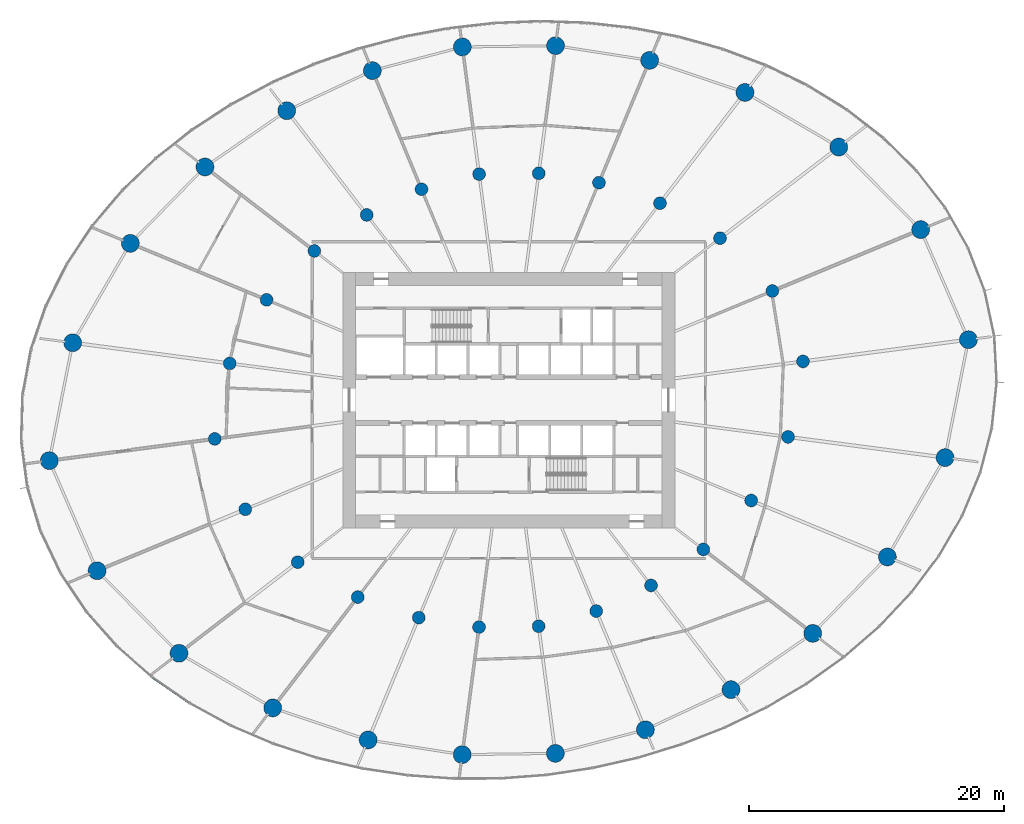
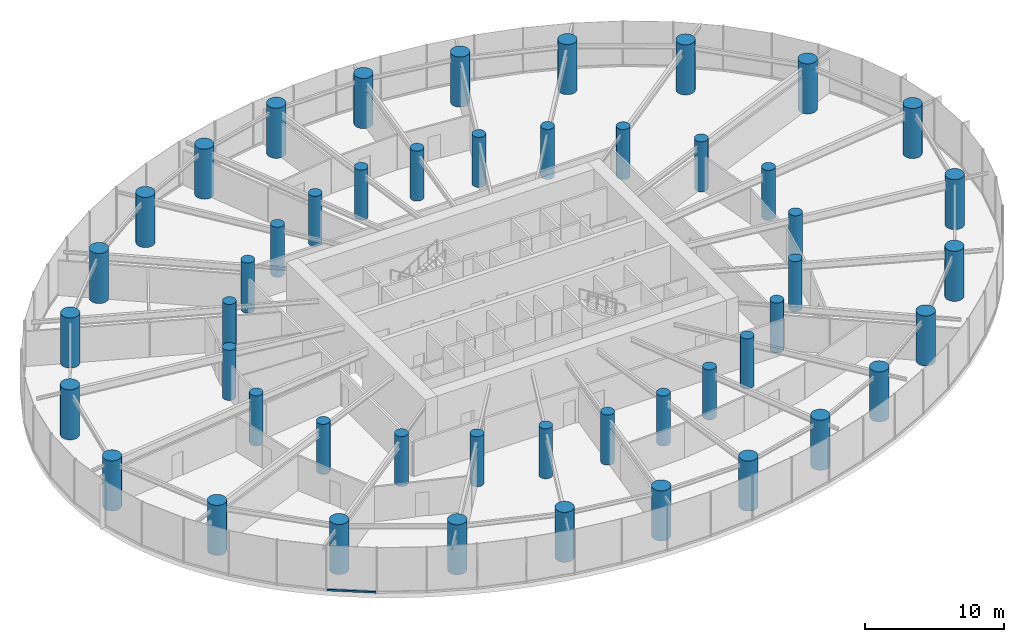
# One storey, part 1 of 18: 48 columns, 1 member, 1 element without a shape of its own.
"""IFC4 building model written with IfcOpenShell, lengths in metres."""

import ifcopenshell
import ifcopenshell.guid

model = None  # the IFC model being written
_history = None  # IfcOwnerHistory: only IFC2X3 demands one
_inside = {}  # id of a spatial element -> (the spatial element, [elements in it])
_under = {}  # id of a project, library or spatial element -> (it, [spatial elements below it])
_declared = {}  # id of a project -> (the project, [libraries it declares])
_typed = {}  # id of a type object -> (the type object, [elements of that type])
_made_of = {}  # id of a material, layer set ... -> (it, [elements and type objects made of it])


def new_model(schema):
    """Start an empty IFC model of exactly this schema.

    Asked for "IFC4X3", IfcOpenShell would pick the latest addendum, in which some entities
    have other attributes; the version numbers below select the first issue.
    IFC2X3 requires an IfcOwnerHistory on every rooted entity: one is made here for all.
    """
    global model, _history
    if schema == "IFC4X3":
        model = ifcopenshell.file(schema_version=(4, 3, 0, 0))
    else:
        model = ifcopenshell.file(schema=schema)
    _inside.clear()
    _under.clear()
    _declared.clear()
    _typed.clear()
    _made_of.clear()
    _history = None
    if model.schema == "IFC2X3":
        org = make("IfcOrganization", Name="unknown")
        user = make(
            "IfcPersonAndOrganization",
            ThePerson=make("IfcPerson", FamilyName="unknown"),
            TheOrganization=org,
        )
        app = make(
            "IfcApplication",
            ApplicationDeveloper=org,
            Version="unknown",
            ApplicationFullName="unknown",
            ApplicationIdentifier="unknown",
        )
        _history = make(
            "IfcOwnerHistory",
            OwningUser=user,
            OwningApplication=app,
            ChangeAction="ADDED",
            CreationDate=0,
        )
    return model


def make(cls, **values):
    """One entity of the class cls with the attributes given. An attribute that is None is left unset."""
    return model.create_entity(
        cls, **{name: value for name, value in values.items() if value is not None}
    )


def rooted(cls, **values):
    """An entity with a GlobalId (a new one), such as an element, a storey or a relation."""
    return make(cls, GlobalId=ifcopenshell.guid.new(), OwnerHistory=_history, **values)


def si_unit(unit_type, name, prefix=None):
    """IfcSIUnit, for example si_unit("LENGTHUNIT", "METRE", prefix="MILLI")."""
    return make("IfcSIUnit", UnitType=unit_type, Prefix=prefix, Name=name)


def assignment(units):
    """IfcUnitAssignment: the units of a project."""
    return None if units is None else make("IfcUnitAssignment", Units=units)


def point(xyz):
    """IfcCartesianPoint."""
    return None if xyz is None else make("IfcCartesianPoint", Coordinates=xyz)


def direction(xyz):
    """IfcDirection."""
    return None if xyz is None else make("IfcDirection", DirectionRatios=xyz)


def frame(location, z_axis=None, x_axis=None):
    """IfcAxis2Placement3D, a coordinate frame: its origin and axes. An axis left out is left unset."""
    return make(
        "IfcAxis2Placement3D",
        Location=point(location),
        Axis=direction(z_axis),
        RefDirection=direction(x_axis),
    )


def frame_2d(location, x_axis=None):
    """IfcAxis2Placement2D, a coordinate frame in the plane: its origin and x axis."""
    return make(
        "IfcAxis2Placement2D", Location=point(location), RefDirection=direction(x_axis)
    )


def origin():
    """The frame at (0, 0, 0) with its axes left unset."""
    return frame((0.0, 0.0, 0.0))


def origin_2d():
    """The frame at (0, 0) in the plane with its x axis left unset."""
    return frame_2d((0.0, 0.0))


def place(relative_to, where):
    """IfcLocalPlacement: puts the frame where relative to a parent placement (None: the world)."""
    return make(
        "IfcLocalPlacement", PlacementRelTo=relative_to, RelativePlacement=where
    )


def context(
    kind, dimensions, precision=None, world=None, true_north=None, identifier=None
):
    """IfcGeometricRepresentationContext, for example the 3D "Model" context."""
    return make(
        "IfcGeometricRepresentationContext",
        ContextIdentifier=identifier,
        ContextType=kind,
        CoordinateSpaceDimension=dimensions,
        Precision=precision,
        WorldCoordinateSystem=world,
        TrueNorth=true_north,
    )


def subcontext(parent, identifier, kind, view, scale=None):
    """IfcGeometricRepresentationSubContext, for example "Body" below "Model"."""
    return make(
        "IfcGeometricRepresentationSubContext",
        ContextIdentifier=identifier,
        ContextType=kind,
        ParentContext=parent,
        TargetScale=scale,
        TargetView=view,
    )


def project(units=None, contexts=None):
    """IfcProject with its units and contexts."""
    return rooted(
        "IfcProject",
        Name="project",
        RepresentationContexts=contexts,
        UnitsInContext=assignment(units),
    )


def spatial(cls, under=None, at=None, **own):
    """A site, building, storey or space (cls), placed at a placement, below another one or the project."""
    s = rooted(cls, ObjectPlacement=at, **own)
    if under is not None:
        _under.setdefault(under.id(), (under, []))[1].append(s)
    return s


def profile(cls, at=None, kind="AREA", **sizes):
    """A parametric profile (cls). Its sizes go by their IFC names, for example OverallWidth=200.0."""
    return make(cls, ProfileType=kind, Position=at, **sizes)


def rectangle(**sizes):
    """IfcRectangleProfileDef."""
    return profile("IfcRectangleProfileDef", **sizes)


def circle(**sizes):
    """IfcCircleProfileDef."""
    return profile("IfcCircleProfileDef", **sizes)


def extrude(swept, where, along, depth):
    """IfcExtrudedAreaSolid: the profile swept, set in the frame where, extruded along a direction by depth."""
    return make(
        "IfcExtrudedAreaSolid",
        SweptArea=swept,
        Position=where,
        ExtrudedDirection=direction(along),
        Depth=depth,
    )


def shape(context_of_items, identifier, shape_type, items):
    """IfcShapeRepresentation: the items that make up one representation, for example the "Body"."""
    return make(
        "IfcShapeRepresentation",
        ContextOfItems=context_of_items,
        RepresentationIdentifier=identifier,
        RepresentationType=shape_type,
        Items=items,
    )


def source(mapping_origin, context_of_items, identifier, shape_type, items):
    """IfcRepresentationMap: a shape defined once, which mapped items show again and again."""
    return make(
        "IfcRepresentationMap",
        MappingOrigin=mapping_origin,
        MappedRepresentation=shape(context_of_items, identifier, shape_type, items),
    )


def transform(
    local_origin,
    x_axis=None,
    y_axis=None,
    z_axis=None,
    scale=None,
    scale2=None,
    scale3=None,
    uniform=True,
):
    """IfcCartesianTransformationOperator3D, or its non-uniform kind. x_axis, y_axis, z_axis: its Axis1, 2, 3."""
    if uniform:
        return make(
            "IfcCartesianTransformationOperator3D",
            Axis1=direction(x_axis),
            Axis2=direction(y_axis),
            LocalOrigin=point(local_origin),
            Scale=scale,
            Axis3=direction(z_axis),
        )
    return make(
        "IfcCartesianTransformationOperator3DnonUniform",
        Axis1=direction(x_axis),
        Axis2=direction(y_axis),
        LocalOrigin=point(local_origin),
        Scale=scale,
        Axis3=direction(z_axis),
        Scale2=scale2,
        Scale3=scale3,
    )


def mapped(mapping_source, mapping_target):
    """IfcMappedItem: shows the shape of a source again, moved by a transform."""
    return make(
        "IfcMappedItem", MappingSource=mapping_source, MappingTarget=mapping_target
    )


def material(Name=None, Category=None):
    """IfcMaterial."""
    return make("IfcMaterial", Name=Name, Category=Category)


def layer(
    of_material, thickness, ventilated=None, Name=None, Category=None, Priority=None
):
    """IfcMaterialLayer: one layer of a wall or slab, of a material (None: an air gap)."""
    return make(
        "IfcMaterialLayer",
        Material=of_material,
        LayerThickness=thickness,
        IsVentilated=ventilated,
        Name=Name,
        Category=Category,
        Priority=Priority,
    )


def layer_set(layers, Name=None):
    """IfcMaterialLayerSet."""
    return make("IfcMaterialLayerSet", MaterialLayers=layers, LayerSetName=Name)


def material_profile(
    of_material, cross_section, Name=None, Category=None, Priority=None
):
    """IfcMaterialProfile: a cross section and its material."""
    return make(
        "IfcMaterialProfile",
        Name=Name,
        Material=of_material,
        Profile=cross_section,
        Priority=Priority,
        Category=Category,
    )


def profile_set(profiles, Name=None, composite=None):
    """IfcMaterialProfileSet."""
    return make(
        "IfcMaterialProfileSet",
        Name=Name,
        MaterialProfiles=profiles,
        CompositeProfile=composite,
    )


def made_of(thing, what):
    """Note that an element or type object is made of a material, layer set ...; save() writes the relation."""
    if what is not None:
        _made_of.setdefault(what.id(), (what, []))[1].append(thing)
    return thing


def type_object(cls, material=None, **own):
    """A type object (cls), such as IfcWallType, which elements share."""
    return made_of(rooted(cls, **own), material)


def element(
    cls,
    number,
    at=None,
    inside=None,
    cuts=None,
    type_object=None,
    material=None,
    context=None,
    identifier="Body",
    shape_type=None,
    held_by="IfcProductDefinitionShape",
    body=None,
    shapes=None,
    **own,
):
    """One element of the class cls, such as IfcWall. Its Tag is "e" and its number.

    at: its placement. inside: the storey or other place that contains it. cuts: it is an
    opening in that element (IfcRelVoidsElement). A single representation is given by context,
    identifier, shape_type and body (its items); several are given by shapes. held_by: the class
    of the entity that holds the representations. save() writes the other relations.
    """
    e = rooted(cls, Tag="e%d" % number, ObjectPlacement=at, **own)
    if body is not None:
        shapes = [shape(context, identifier, shape_type, body)]
    if shapes is not None:
        e.Representation = make(held_by, Representations=shapes)
    if inside is not None:
        _inside.setdefault(inside.id(), (inside, []))[1].append(e)
    if cuts is not None:
        rooted(
            "IfcRelVoidsElement", RelatingBuildingElement=cuts, RelatedOpeningElement=e
        )
    if type_object is not None:
        _typed.setdefault(type_object.id(), (type_object, []))[1].append(e)
    return made_of(e, material)


def aggregate(whole, parts):
    """IfcRelAggregates: a whole, such as a stair, and the parts it consists of."""
    return rooted("IfcRelAggregates", RelatingObject=whole, RelatedObjects=parts)


def save(model, path):
    """Write the relations noted so far, then the file.

    IfcRelAggregates (storeys below a building ...), IfcRelContainedInSpatialStructure (elements
    in a storey), IfcRelDefinesByType, IfcRelAssociatesMaterial and IfcRelDeclares: one each for
    every whole, place, type object, material and project.
    """
    for whole, parts in _under.values():
        aggregate(whole, parts)
    for where, things in _inside.values():
        rooted(
            "IfcRelContainedInSpatialStructure",
            RelatedElements=things,
            RelatingStructure=where,
        )
    for kind, things in _typed.values():
        rooted("IfcRelDefinesByType", RelatedObjects=things, RelatingType=kind)
    for what, things in _made_of.values():
        rooted("IfcRelAssociatesMaterial", RelatedObjects=things, RelatingMaterial=what)
    for by, libraries in _declared.values():
        rooted("IfcRelDeclares", RelatingContext=by, RelatedDefinitions=libraries)
    model.write(path)


model = new_model("IFC4")

# Units and contexts
model_context = context("Model", 3, precision=1e-05, world=origin(), true_north=direction((0.0, 1.0)))
body_context = subcontext(model_context, "Body", "Model", "MODEL_VIEW")
ifc_project = project(units=[si_unit("LENGTHUNIT", "METRE"), si_unit("AREAUNIT", "SQUARE_METRE"), si_unit("VOLUMEUNIT", "CUBIC_METRE"), si_unit("PLANEANGLEUNIT", "RADIAN"), si_unit("MASSUNIT", "GRAM", prefix="KILO")], contexts=[model_context])

# Site, building, storey
site_placement = place(None, origin())
site = spatial("IfcSite", under=ifc_project, at=site_placement, CompositionType="ELEMENT")
building_placement = place(site_placement, origin())
building = spatial("IfcBuilding", under=site, at=building_placement, Name="Spindrift Exchange Tower", CompositionType="ELEMENT")
storey_placement = place(building_placement, frame((0.0, 0.0, 40.199951171875)))
storey = spatial("IfcBuildingStorey", under=building, at=storey_placement, Name="L09", CompositionType="ELEMENT", Elevation=40.199951171875)

# Columns
ifc_material_1 = material(Name="Concrete 80 MPa", Category="concrete")
ifc_material_profile_1 = material_profile(ifc_material_1, circle(Radius=0.699951171875, at=origin_2d()), Name="RC D1400")
ifc_profile_set_1 = profile_set([ifc_material_profile_1], Name="Concrete 80 MPa")
column_type_1 = type_object("IfcColumnType", Name="RC Perimeter Column D1400 Concrete 80 MPa", PredefinedType="COLUMN", material=ifc_profile_set_1)
shared_shape_1 = source(origin(), body_context, "Body", "SweptSolid", [
    extrude(circle(Radius=0.699951171875, at=origin_2d()), origin(), (0.0, 0.0, 1.0), 4.400146484375),
])
for number, where, z_axis, x_axis, name in (
    (1, (87.990478515625, 52.73828125, 0.0), (0.0, 0.0, 1.0), (1.0, 0.0, 0.0), "Perimeter column P1-01 L09"),
    (2, (84.248779296875, 61.35791015625, 0.0), (0.0, 0.0, 1.0), (1.0, 0.0, 0.0), "Perimeter column P1-02 L09"),
    (3, (77.835693359375, 67.82421875, 0.0), (0.0, 0.0, 1.0), (1.0, 0.0, 0.0), "Perimeter column P1-03 L09"),
    (4, (70.4921875, 72.099609375, 0.0), (0.0, 0.0, 1.0), (1.0, 0.0, 0.0), "Perimeter column P1-04 L09"),
    (5, (63.022705078125, 74.611328125, 0.0), (0.0, 0.0, 1.0), (1.0, 0.0, 0.0), "Perimeter column P1-05 L09"),
    (6, (55.65478515625, 75.761474609375, 0.0), (0.0, 0.0, 1.0), (1.0, 0.0, 0.0), "Perimeter column P1-06 L09"),
    (7, (48.3583984375, 75.661376953125, 0.0), (0.0, 0.0, 1.0), (1.0, 0.0, 0.0), "Perimeter column P1-07 L09"),
    (8, (41.309814453125, 73.80859375, 0.0), (0.0, 0.0, 1.0), (1.0, 0.0, 0.0), "Perimeter column P1-08 L09"),
    (9, (34.603515625, 70.671630859375, 0.0), (0.0, 0.0, 1.0), (1.0, 0.0, 0.0), "Perimeter column P1-09 L09"),
    (10, (28.199462890625, 66.2626953125, 0.0), (0.0, 0.0, 1.0), (1.0, 0.0, 0.0), "Perimeter column P1-10 L09"),
    (11, (22.35546875, 60.279296875, 0.0), (0.0, 0.0, 1.0), (1.0, 0.0, 0.0), "Perimeter column P1-11 L09"),
    (12, (17.8388671875, 52.497314453125, 0.0), (0.0, 0.0, 1.0), (1.0, 0.0, 0.0), "Perimeter column P1-12 L09"),
    (13, (16.009521484375, 43.26171875, 0.0), (0.0, 0.0, 1.0), (1.0, 0.0, 0.0), "Perimeter column P1-13 L09"),
    (14, (19.751220703125, 34.64208984375, 0.0), (0.0, 0.0, 1.0), (1.0, 0.0, 0.0), "Perimeter column P1-14 L09"),
    (15, (26.164306640625, 28.17578125, 0.0), (0.0, 0.0, 1.0), (1.0, 0.0, 0.0), "Perimeter column P1-15 L09"),
    (16, (33.5078125, 23.900390625, 0.0), (0.0, 0.0, 1.0), (1.0, 0.0, 0.0), "Perimeter column P1-16 L09"),
    (17, (40.977294921875, 21.388671875, 0.0), (0.0, 0.0, 1.0), (1.0, 0.0, 0.0), "Perimeter column P1-17 L09"),
    (18, (48.34521484375, 20.238525390625, 0.0), (0.0, 0.0, 1.0), (1.0, 0.0, 0.0), "Perimeter column P1-18 L09"),
    (19, (55.6416015625, 20.338623046875, 0.0), (0.0, 0.0, 1.0), (1.0, 0.0, 0.0), "Perimeter column P1-19 L09"),
    (20, (62.690185546875, 22.19140625, 0.0), (0.0, 0.0, 1.0), (1.0, 0.0, 0.0), "Perimeter column P1-20 L09"),
    (21, (69.396484375, 25.328369140625, 0.0), (0.0, 0.0, 1.0), (1.0, 0.0, 0.0), "Perimeter column P1-21 L09"),
    (22, (75.800537109375, 29.7373046875, 0.0), (0.0, 0.0, 1.0), (1.0, 0.0, 0.0), "Perimeter column P1-22 L09"),
    (23, (81.64453125, 35.720703125, 0.0), (0.0, 0.0, 1.0), (1.0, 0.0, 0.0), "Perimeter column P1-23 L09"),
    (24, (86.1611328125, 43.502685546875, 0.0), (0.0, 0.0, 1.0), (1.0, 0.0, 0.0), "Perimeter column P1-24 L09"),
):
    element("IfcColumn", number, at=place(storey_placement, frame(where, z_axis=z_axis, x_axis=x_axis)), inside=storey, type_object=column_type_1, Name=name, PredefinedType="COLUMN", context=body_context, shape_type="MappedRepresentation", body=[
        mapped(shared_shape_1, transform((0.0, 0.0, 0.0), scale=1.0)),
    ])
ifc_material_profile_2 = material_profile(ifc_material_1, circle(Radius=0.5, at=origin_2d()), Name="RC D1000")
ifc_profile_set_2 = profile_set([ifc_material_profile_2], Name="Concrete 80 MPa")
column_type_2 = type_object("IfcColumnType", Name="RC Inner Column D1000 Concrete 80 MPa", PredefinedType="COLUMN", material=ifc_profile_set_2)
shared_shape_2 = source(origin(), body_context, "Body", "SweptSolid", [
    extrude(circle(Radius=0.5, at=origin_2d()), origin(), (0.0, 0.0, 1.0), 4.400146484375),
])
for number, where, z_axis, x_axis, name in (
    (25, (75.033935546875, 51.032470703125, 0.0), (0.0, 0.0, 1.0), (1.0, 0.0, 0.0), "Inner column Q1-01 L09"),
    (26, (72.639404296875, 56.549072265625, 0.0), (0.0, 0.0, 1.0), (1.0, 0.0, 0.0), "Inner column Q1-02 L09"),
    (27, (68.534912109375, 60.6875, 0.0), (0.0, 0.0, 1.0), (1.0, 0.0, 0.0), "Inner column Q1-03 L09"),
    (28, (63.835205078125, 63.423828125, 0.0), (0.0, 0.0, 1.0), (1.0, 0.0, 0.0), "Inner column Q1-04 L09"),
    (29, (59.0546875, 65.03125, 0.0), (0.0, 0.0, 1.0), (1.0, 0.0, 0.0), "Inner column Q1-05 L09"),
    (30, (54.339111328125, 65.767333984375, 0.0), (0.0, 0.0, 1.0), (1.0, 0.0, 0.0), "Inner column Q1-06 L09"),
    (31, (49.669189453125, 65.703125, 0.0), (0.0, 0.0, 1.0), (1.0, 0.0, 0.0), "Inner column Q1-07 L09"),
    (32, (45.158203125, 64.517578125, 0.0), (0.0, 0.0, 1.0), (1.0, 0.0, 0.0), "Inner column Q1-08 L09"),
    (33, (40.8662109375, 62.510009765625, 0.0), (0.0, 0.0, 1.0), (1.0, 0.0, 0.0), "Inner column Q1-09 L09"),
    (34, (36.767578125, 59.688232421875, 0.0), (0.0, 0.0, 1.0), (1.0, 0.0, 0.0), "Inner column Q1-10 L09"),
    (35, (33.027587890625, 55.858642578125, 0.0), (0.0, 0.0, 1.0), (1.0, 0.0, 0.0), "Inner column Q1-11 L09"),
    (36, (30.13671875, 50.87841796875, 0.0), (0.0, 0.0, 1.0), (1.0, 0.0, 0.0), "Inner column Q1-12 L09"),
    (37, (28.966064453125, 44.967529296875, 0.0), (0.0, 0.0, 1.0), (1.0, 0.0, 0.0), "Inner column Q1-13 L09"),
    (38, (31.360595703125, 39.450927734375, 0.0), (0.0, 0.0, 1.0), (1.0, 0.0, 0.0), "Inner column Q1-14 L09"),
    (39, (35.465087890625, 35.3125, 0.0), (0.0, 0.0, 1.0), (1.0, 0.0, 0.0), "Inner column Q1-15 L09"),
    (40, (40.164794921875, 32.576171875, 0.0), (0.0, 0.0, 1.0), (1.0, 0.0, 0.0), "Inner column Q1-16 L09"),
    (41, (44.9453125, 30.96875, 0.0), (0.0, 0.0, 1.0), (1.0, 0.0, 0.0), "Inner column Q1-17 L09"),
    (42, (49.660888671875, 30.232666015625, 0.0), (0.0, 0.0, 1.0), (1.0, 0.0, 0.0), "Inner column Q1-18 L09"),
    (43, (54.330810546875, 30.296875, 0.0), (0.0, 0.0, 1.0), (1.0, 0.0, 0.0), "Inner column Q1-19 L09"),
    (44, (58.841796875, 31.482421875, 0.0), (0.0, 0.0, 1.0), (1.0, 0.0, 0.0), "Inner column Q1-20 L09"),
    (45, (63.1337890625, 33.489990234375, 0.0), (0.0, 0.0, 1.0), (1.0, 0.0, 0.0), "Inner column Q1-21 L09"),
    (46, (67.232421875, 36.311767578125, 0.0), (0.0, 0.0, 1.0), (1.0, 0.0, 0.0), "Inner column Q1-22 L09"),
    (47, (70.972412109375, 40.141357421875, 0.0), (0.0, 0.0, 1.0), (1.0, 0.0, 0.0), "Inner column Q1-23 L09"),
    (48, (73.86328125, 45.12158203125, 0.0), (0.0, 0.0, 1.0), (1.0, 0.0, 0.0), "Inner column Q1-24 L09"),
):
    element("IfcColumn", number, at=place(storey_placement, frame(where, z_axis=z_axis, x_axis=x_axis)), inside=storey, type_object=column_type_2, Name=name, PredefinedType="COLUMN", context=body_context, shape_type="MappedRepresentation", body=[
        mapped(shared_shape_2, transform((0.0, 0.0, 0.0), scale=1.0)),
    ])

# Curtain wall, member
ifc_material_2 = material(Name="Fritted laminated glass with bronze frame", Category="glass")
ifc_layer = layer(ifc_material_2, 0.199951171875)
ifc_layer_set = layer_set([ifc_layer], Name="ZONE 1 BRONZE FRITTED WALL")
curtain_wall_type = type_object("IfcCurtainWallType", Name="ZONE 1 BRONZE FRITTED WALL", PredefinedType="NOTDEFINED", material=ifc_layer_set)
curtain_wall_placement = place(storey_placement, origin())
curtain_wall = element("IfcCurtainWall", 49, at=curtain_wall_placement, inside=storey, type_object=curtain_wall_type, Name="L09 Zone 1 Bronze Fritted Wall run 6", PredefinedType="NOTDEFINED")
ifc_material_3 = material(Name="Bronze anodised aluminium", Category="aluminium")
ifc_material_profile_3 = material_profile(ifc_material_3, rectangle(XDim=0.179931640625, YDim=0.14990234375, at=origin_2d()), Name="ZONE 1 BRONZE FRITTED WALL TRANSOM 180X150")
ifc_profile_set_3 = profile_set([ifc_material_profile_3], Name="Bronze anodised aluminium")
member_type = type_object("IfcMemberType", Name="ZONE 1 BRONZE FRITTED WALL TRANSOM 180X150", PredefinedType="USERDEFINED", material=ifc_profile_set_3)
shared_shape_3 = source(origin(), body_context, "Body", "SweptSolid", [
    extrude(rectangle(XDim=0.179931640625, YDim=0.14990234375, at=origin_2d()), origin(), (0.0, 0.0, 1.0), 3.54638671875),
])
member_placement = place(storey_placement, frame((24.06787109375, 26.30810546875, 0.074951171875), z_axis=(0.821971560662, -0.569528536127, 0.0), x_axis=(0.569528536127, 0.821971560662, 0.0)))
member = element("IfcMember", 50, at=member_placement, type_object=member_type, Name="L09 transom CW-1.36", ObjectType="TRANSOM", PredefinedType="USERDEFINED", context=body_context, shape_type="MappedRepresentation", body=[
    mapped(shared_shape_3, transform((0.0, 0.0, 0.0), scale=1.0)),
])
aggregate(curtain_wall, [member])

save(model, "model.ifc")
